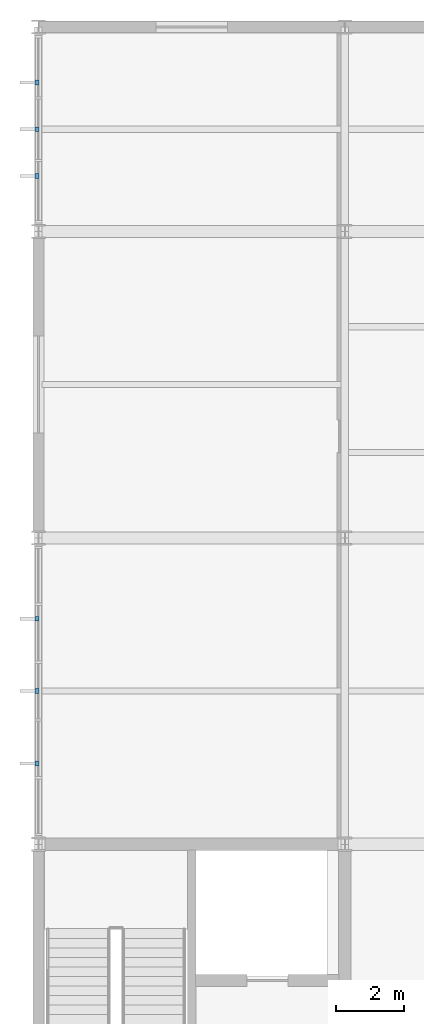
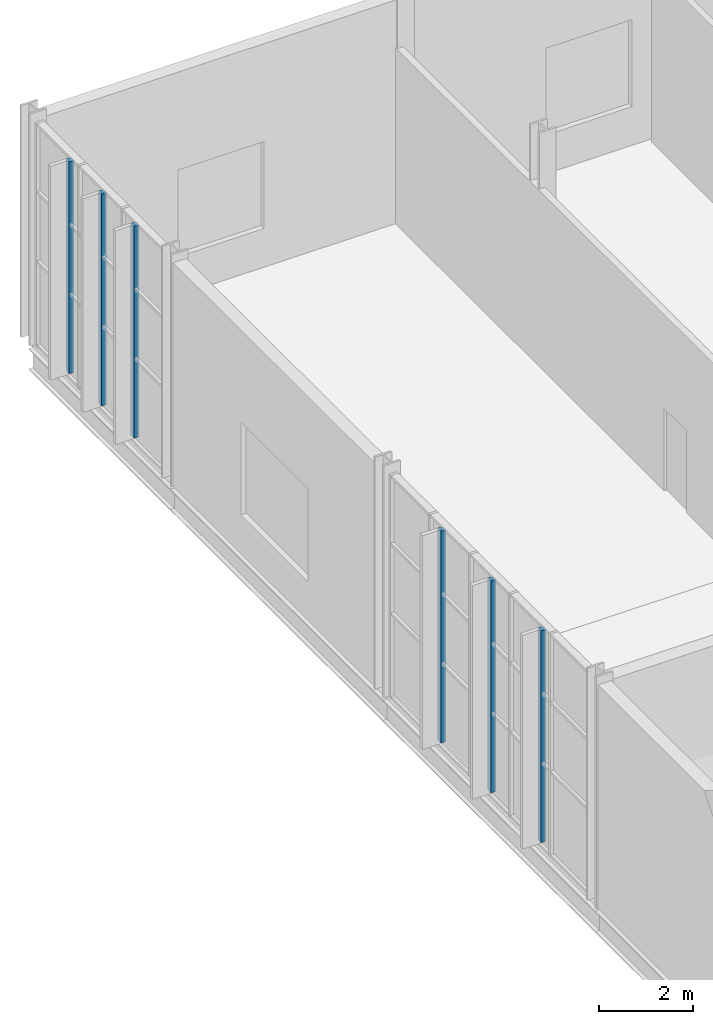
# One storey, part 133 of 159: 6 discrete accessories.
"""IFC4 building model written with IfcOpenShell, lengths in metres."""

from ifc_helpers import new_model, si_unit, direction, frame, origin, origin_2d, place, context, subcontext, project, spatial, rectangle, extrude, material, type_object, element, save


model = new_model("IFC4")

# Units and contexts
model_context = context("Model", 3, precision=1e-05, world=origin(), true_north=direction((0.0, 1.0)))
body_context = subcontext(model_context, "Body", "Model", "MODEL_VIEW")
ifc_project = project(units=[si_unit("LENGTHUNIT", "METRE"), si_unit("AREAUNIT", "SQUARE_METRE"), si_unit("VOLUMEUNIT", "CUBIC_METRE"), si_unit("PLANEANGLEUNIT", "RADIAN"), si_unit("MASSUNIT", "GRAM", prefix="KILO")], contexts=[model_context])

# Site, building, storey
site_placement = place(None, origin())
site = spatial("IfcSite", under=ifc_project, at=site_placement, CompositionType="ELEMENT")
building_placement = place(site_placement, origin())
building = spatial("IfcBuilding", under=site, at=building_placement, Name="Cazmaro Siding Exhibition Halls", CompositionType="ELEMENT")
storey_placement = place(building_placement, frame((0.0, 0.0, 6.0)))
storey = spatial("IfcBuildingStorey", under=building, at=storey_placement, Name="L01", CompositionType="ELEMENT", Elevation=6.0)

# Discrete accessories
ifc_material = material(Name="Steel ASTM A572 Grade 50", Category="steel")
discrete_accessory_type = type_object("IfcDiscreteAccessoryType", Name="SBK-01", PredefinedType="BRACKET", material=ifc_material)
for number, where, z_axis, x_axis, name in (
    (1, (-0.0400390625, 102.3759765625, 0.14990234375), (0.0, 0.0, 1.0), (1.0, 0.0, 0.0), "Solar Fin Steel Support Bracket SBK-01 019"),
    (2, (-0.0400390625, 104.5, 0.14990234375), (0.0, 0.0, 1.0), (1.0, 0.0, 0.0), "Solar Fin Steel Support Bracket SBK-01 020"),
    (3, (-0.0400390625, 106.6240234375, 0.14990234375), (0.0, 0.0, 1.0), (1.0, 0.0, 0.0), "Solar Fin Steel Support Bracket SBK-01 021"),
    (4, (-0.0400390625, 119.6259765625, 0.14990234375), (0.0, 0.0, 1.0), (1.0, 0.0, 0.0), "Solar Fin Steel Support Bracket SBK-01 022"),
    (5, (-0.0400390625, 121.0, 0.14990234375), (0.0, 0.0, 1.0), (1.0, 0.0, 0.0), "Solar Fin Steel Support Bracket SBK-01 023"),
    (6, (-0.0400390625, 122.3740234375, 0.14990234375), (0.0, 0.0, 1.0), (1.0, 0.0, 0.0), "Solar Fin Steel Support Bracket SBK-01 024"),
):
    element("IfcDiscreteAccessory", number, at=place(storey_placement, frame(where, z_axis=z_axis, x_axis=x_axis)), inside=storey, type_object=discrete_accessory_type, Name=name, PredefinedType="BRACKET", context=body_context, shape_type="SweptSolid", body=[
        extrude(rectangle(XDim=0.1201171875, YDim=0.139892578125, at=origin_2d()), origin(), (0.0, 0.0, 1.0), 5.47998046875),
    ])

save(model, "model.ifc")
